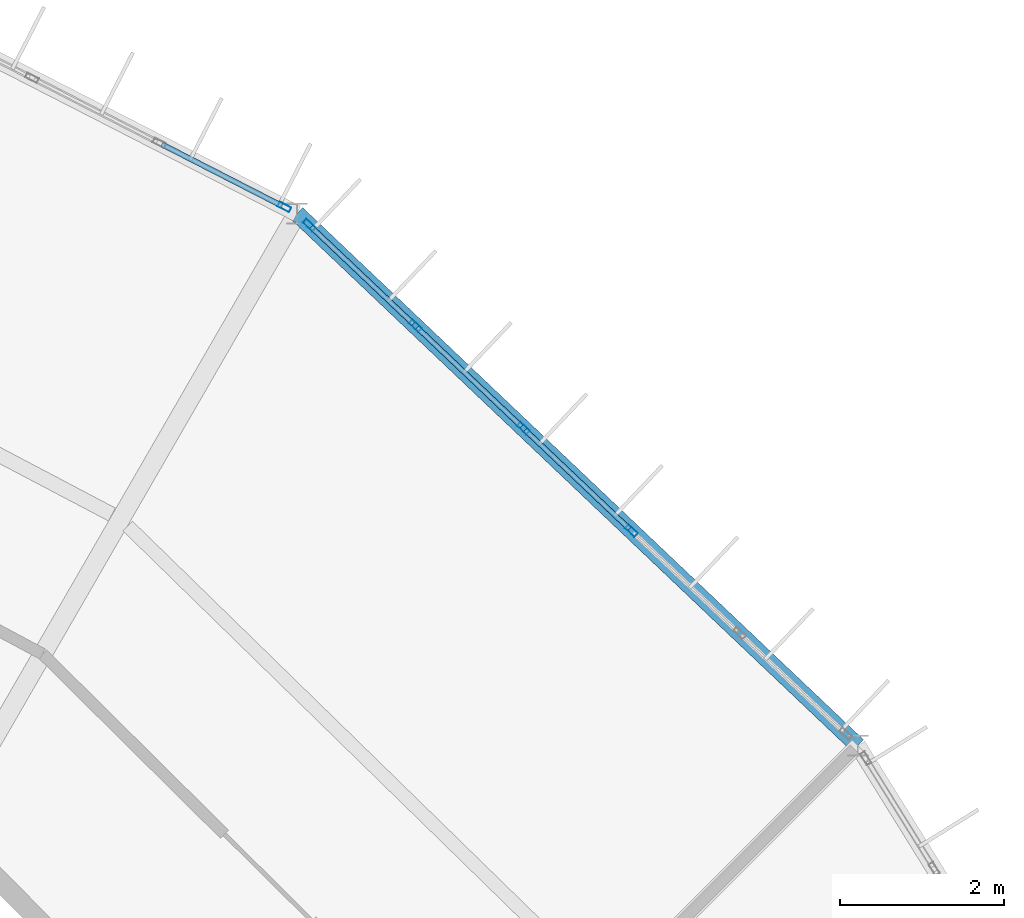
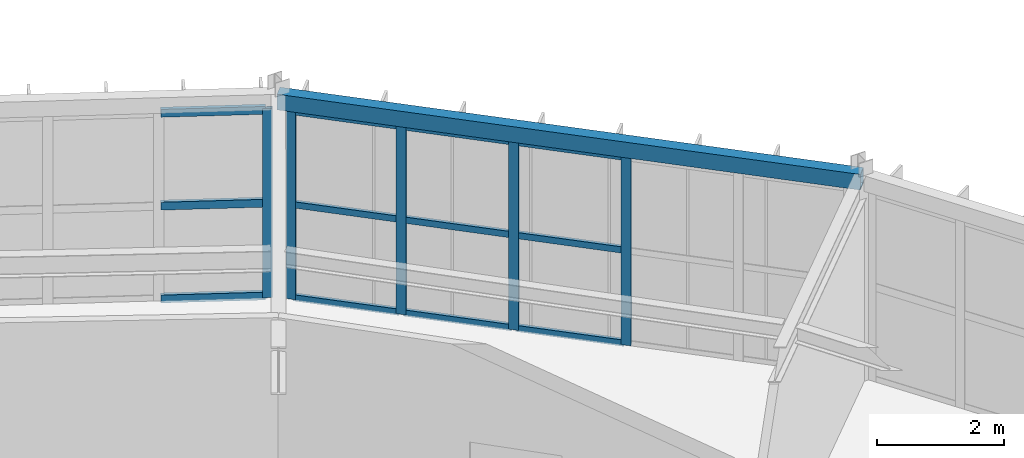
# One storey, part 83 of 134: 17 members, 1 beam, 2 elements without a shape of their own.
"""IFC4 building model written with IfcOpenShell, lengths in metres."""

from ifc_helpers import new_model, si_unit, direction, frame, origin, origin_2d, place, context, subcontext, project, spatial, hollow_rectangle, extrude, material, material_profile, profile_set, type_object, element, aggregate, save


model = new_model("IFC4")

# Units and contexts
model_context = context("Model", 3, precision=1e-05, world=origin(), true_north=direction((0.0, 1.0)))
body_context = subcontext(model_context, "Body", "Model", "MODEL_VIEW")
ifc_project = project(units=[si_unit("LENGTHUNIT", "METRE"), si_unit("AREAUNIT", "SQUARE_METRE"), si_unit("VOLUMEUNIT", "CUBIC_METRE"), si_unit("PLANEANGLEUNIT", "RADIAN"), si_unit("MASSUNIT", "GRAM", prefix="KILO")], contexts=[model_context])

# Site, building, storey
site_placement = place(None, origin())
site = spatial("IfcSite", under=ifc_project, at=site_placement, CompositionType="ELEMENT")
building_placement = place(site_placement, origin())
building = spatial("IfcBuilding", under=site, at=building_placement, Name="Karori Crest Natural Sciences Institute", CompositionType="ELEMENT")
storey_placement = place(building_placement, frame((0.0, 0.0, 21.699951171875)))
storey = spatial("IfcBuildingStorey", under=building, at=storey_placement, Name="L05", CompositionType="ELEMENT", Elevation=21.699951171875)

# Beam
ifc_material_1 = material(Name="Hollow structural steel AS/NZS 1163 Grade C350", Category="steel")
ifc_material_profile_1 = material_profile(ifc_material_1, hollow_rectangle(XDim=0.199951171875, YDim=0.300048828125, WallThickness=0.010009765625, at=origin_2d()), Name="RHS300x200x10")
ifc_profile_set_1 = profile_set([ifc_material_profile_1], Name="Hollow structural steel AS/NZS 1163 Grade C350")
beam_type = type_object("IfcBeamType", Name="BT-15", PredefinedType="SPANDREL", material=ifc_profile_set_1)
beam_placement = place(storey_placement, frame((89.734619140625, 78.75, 3.7900390625), z_axis=(-0.725481282589, 0.688241896874, 0.0), x_axis=(-0.688241896874, -0.725481282589, 0.0)))
element("IfcBeam", 1, at=beam_placement, inside=storey, type_object=beam_type, Name="Beam B-0551", PredefinedType="SPANDREL", context=body_context, shape_type="SweptSolid", body=[
    extrude(hollow_rectangle(XDim=0.199951171875, YDim=0.300048828125, WallThickness=0.010009765625, at=origin_2d()), origin(), (0.0, 0.0, 1.0), 9.4208984375),
])

# Curtain wall, members
ifc_material_2 = material(Name="Anodised architectural aluminium 6063-T6", Category="aluminium")
curtain_wall_type_1 = type_object("IfcCurtainWallType", Name="CWT-04", PredefinedType="NOTDEFINED", material=ifc_material_2)
curtain_wall_1_placement = place(storey_placement, origin())
curtain_wall_1 = element("IfcCurtainWall", 2, at=curtain_wall_1_placement, inside=storey, type_object=curtain_wall_type_1, Name="Curtain wall CW-0177", PredefinedType="NOTDEFINED")
ifc_material_profile_2 = material_profile(ifc_material_2, hollow_rectangle(XDim=0.06494140625, YDim=0.159912109375, WallThickness=0.00390625, at=origin_2d()), Name="CWM160x65x4")
ifc_profile_set_2 = profile_set([ifc_material_profile_2], Name="Anodised architectural aluminium 6063-T6")
member_type_1 = type_object("IfcMemberType", Name="CWM-01", PredefinedType="MULLION", material=ifc_profile_set_2)
member_1_placement = place(storey_placement, frame((83.049072265625, 85.09228515625, 0.0), z_axis=(0.0, 0.0, 1.0), x_axis=(0.688252251648, 0.725471459192, 0.0)))
member_1 = element("IfcMember", 3, at=member_1_placement, type_object=member_type_1, Name="CW-0177 mullion 1", PredefinedType="MULLION", context=body_context, shape_type="SweptSolid", body=[
    extrude(hollow_rectangle(XDim=0.06494140625, YDim=0.159912109375, WallThickness=0.00390625, at=origin_2d()), origin(), (0.0, 0.0, 1.0), 3.625),
])
member_2_placement = place(storey_placement, frame((84.342041015625, 83.86572265625, 0.0), z_axis=(0.0, 0.0, 1.0), x_axis=(0.688252251648, 0.725471459192, 0.0)))
member_2 = element("IfcMember", 4, at=member_2_placement, type_object=member_type_1, Name="CW-0177 mullion 2", PredefinedType="MULLION", context=body_context, shape_type="SweptSolid", body=[
    extrude(hollow_rectangle(XDim=0.06494140625, YDim=0.159912109375, WallThickness=0.00390625, at=origin_2d()), origin(), (0.0, 0.0, 1.0), 3.625),
])
member_3_placement = place(storey_placement, frame((85.658447265625, 82.61669921875, 0.0), z_axis=(0.0, 0.0, 1.0), x_axis=(0.688252251648, 0.725471459192, 0.0)))
member_3 = element("IfcMember", 5, at=member_3_placement, type_object=member_type_1, Name="CW-0177 mullion 3", PredefinedType="MULLION", context=body_context, shape_type="SweptSolid", body=[
    extrude(hollow_rectangle(XDim=0.06494140625, YDim=0.159912109375, WallThickness=0.00390625, at=origin_2d()), origin(), (0.0, 0.0, 1.0), 3.625),
])
member_4_placement = place(storey_placement, frame((86.97509765625, 81.367919921875, 0.0), z_axis=(0.0, 0.0, 1.0), x_axis=(0.688252251648, 0.725471459192, 0.0)))
member_4 = element("IfcMember", 6, at=member_4_placement, type_object=member_type_1, Name="CW-0177 mullion 4", PredefinedType="MULLION", context=body_context, shape_type="SweptSolid", body=[
    extrude(hollow_rectangle(XDim=0.06494140625, YDim=0.159912109375, WallThickness=0.00390625, at=origin_2d()), origin(), (0.0, 0.0, 1.0), 3.625),
])

# Curtain wall, member
curtain_wall_type_2 = type_object("IfcCurtainWallType", Name="CWT-05", PredefinedType="NOTDEFINED", material=ifc_material_2)
curtain_wall_2_placement = place(storey_placement, origin())
curtain_wall_2 = element("IfcCurtainWall", 7, at=curtain_wall_2_placement, inside=storey, type_object=curtain_wall_type_2, Name="Curtain wall CW-0178", PredefinedType="NOTDEFINED")
member_5_placement = place(storey_placement, frame((82.745849609375, 85.312744140625, 0.0), z_axis=(0.0, 0.0, 1.0), x_axis=(0.455828878252, 0.890067432138, 0.0)))
member_5 = element("IfcMember", 8, at=member_5_placement, type_object=member_type_1, Name="CW-0178 mullion 6", PredefinedType="MULLION", context=body_context, shape_type="SweptSolid", body=[
    extrude(hollow_rectangle(XDim=0.06494140625, YDim=0.159912109375, WallThickness=0.00390625, at=origin_2d()), origin(), (0.0, 0.0, 1.0), 3.625),
])

# Member
ifc_material_profile_3 = material_profile(ifc_material_2, hollow_rectangle(XDim=0.06005859375, YDim=0.1201171875, WallThickness=0.00390625, at=origin_2d()), Name="CWT120x60x4")
ifc_profile_set_3 = profile_set([ifc_material_profile_3], Name="Anodised architectural aluminium 6063-T6")
member_type_2 = type_object("IfcMemberType", Name="CWT-TR1", PredefinedType="USERDEFINED", material=ifc_profile_set_3)
member_6_placement = place(storey_placement, frame((83.07275390625, 85.070068359375, 0.030029296875), z_axis=(0.725485539939, -0.68823740914, 0.0), x_axis=(0.68823740914, 0.725485539939, 0.0)))
member_6 = element("IfcMember", 9, at=member_6_placement, type_object=member_type_2, Name="CW-0177 transom 1.1", ObjectType="TRANSOM", PredefinedType="USERDEFINED", context=body_context, shape_type="SweptSolid", body=[
    extrude(hollow_rectangle(XDim=0.06005859375, YDim=0.1201171875, WallThickness=0.00390625, at=origin_2d()), origin(), (0.0, 0.0, 1.0), 1.71728515625),
])

member_7_placement = place(storey_placement, frame((83.07275390625, 85.070068359375, 1.8125), z_axis=(0.725485539939, -0.68823740914, 0.0), x_axis=(0.68823740914, 0.725485539939, 0.0)))
member_7 = element("IfcMember", 10, at=member_7_placement, type_object=member_type_2, Name="CW-0177 transom 1.2", ObjectType="TRANSOM", PredefinedType="USERDEFINED", context=body_context, shape_type="SweptSolid", body=[
    extrude(hollow_rectangle(XDim=0.06005859375, YDim=0.1201171875, WallThickness=0.00390625, at=origin_2d()), origin(), (0.0, 0.0, 1.0), 1.71728515625),
])

member_8_placement = place(storey_placement, frame((83.07275390625, 85.070068359375, 3.594970703125), z_axis=(0.725485539939, -0.68823740914, 0.0), x_axis=(0.68823740914, 0.725485539939, 0.0)))
member_8 = element("IfcMember", 11, at=member_8_placement, type_object=member_type_2, Name="CW-0177 transom 1.3", ObjectType="TRANSOM", PredefinedType="USERDEFINED", context=body_context, shape_type="SweptSolid", body=[
    extrude(hollow_rectangle(XDim=0.06005859375, YDim=0.1201171875, WallThickness=0.00390625, at=origin_2d()), origin(), (0.0, 0.0, 1.0), 1.71728515625),
])

member_9_placement = place(storey_placement, frame((84.36572265625, 83.843505859375, 0.030029296875), z_axis=(0.725420823959, -0.688305621194, 0.0), x_axis=(0.688305621194, 0.725420823959, 0.0)))
member_9 = element("IfcMember", 12, at=member_9_placement, type_object=member_type_2, Name="CW-0177 transom 2.1", ObjectType="TRANSOM", PredefinedType="USERDEFINED", context=body_context, shape_type="SweptSolid", body=[
    extrude(hollow_rectangle(XDim=0.06005859375, YDim=0.1201171875, WallThickness=0.00390625, at=origin_2d()), origin(), (0.0, 0.0, 1.0), 1.749755859375),
])

member_10_placement = place(storey_placement, frame((84.36572265625, 83.843505859375, 1.8125), z_axis=(0.725420823959, -0.688305621194, 0.0), x_axis=(0.688305621194, 0.725420823959, 0.0)))
member_10 = element("IfcMember", 13, at=member_10_placement, type_object=member_type_2, Name="CW-0177 transom 2.2", ObjectType="TRANSOM", PredefinedType="USERDEFINED", context=body_context, shape_type="SweptSolid", body=[
    extrude(hollow_rectangle(XDim=0.06005859375, YDim=0.1201171875, WallThickness=0.00390625, at=origin_2d()), origin(), (0.0, 0.0, 1.0), 1.749755859375),
])

member_11_placement = place(storey_placement, frame((84.36572265625, 83.843505859375, 3.594970703125), z_axis=(0.725420823959, -0.688305621194, 0.0), x_axis=(0.688305621194, 0.725420823959, 0.0)))
member_11 = element("IfcMember", 14, at=member_11_placement, type_object=member_type_2, Name="CW-0177 transom 2.3", ObjectType="TRANSOM", PredefinedType="USERDEFINED", context=body_context, shape_type="SweptSolid", body=[
    extrude(hollow_rectangle(XDim=0.06005859375, YDim=0.1201171875, WallThickness=0.00390625, at=origin_2d()), origin(), (0.0, 0.0, 1.0), 1.749755859375),
])

member_12_placement = place(storey_placement, frame((85.68212890625, 82.594482421875, 0.030029296875), z_axis=(0.725420823959, -0.688305621194, 0.0), x_axis=(0.688305621194, 0.725420823959, 0.0)))
member_12 = element("IfcMember", 15, at=member_12_placement, type_object=member_type_2, Name="CW-0177 transom 3.1", ObjectType="TRANSOM", PredefinedType="USERDEFINED", context=body_context, shape_type="SweptSolid", body=[
    extrude(hollow_rectangle(XDim=0.06005859375, YDim=0.1201171875, WallThickness=0.00390625, at=origin_2d()), origin(), (0.0, 0.0, 1.0), 1.749755859375),
])

member_13_placement = place(storey_placement, frame((85.68212890625, 82.594482421875, 1.8125), z_axis=(0.725420823959, -0.688305621194, 0.0), x_axis=(0.688305621194, 0.725420823959, 0.0)))
member_13 = element("IfcMember", 16, at=member_13_placement, type_object=member_type_2, Name="CW-0177 transom 3.2", ObjectType="TRANSOM", PredefinedType="USERDEFINED", context=body_context, shape_type="SweptSolid", body=[
    extrude(hollow_rectangle(XDim=0.06005859375, YDim=0.1201171875, WallThickness=0.00390625, at=origin_2d()), origin(), (0.0, 0.0, 1.0), 1.749755859375),
])

member_14_placement = place(storey_placement, frame((85.68212890625, 82.594482421875, 3.594970703125), z_axis=(0.725420823959, -0.688305621194, 0.0), x_axis=(0.688305621194, 0.725420823959, 0.0)))
member_14 = element("IfcMember", 17, at=member_14_placement, type_object=member_type_2, Name="CW-0177 transom 3.3", ObjectType="TRANSOM", PredefinedType="USERDEFINED", context=body_context, shape_type="SweptSolid", body=[
    extrude(hollow_rectangle(XDim=0.06005859375, YDim=0.1201171875, WallThickness=0.00390625, at=origin_2d()), origin(), (0.0, 0.0, 1.0), 1.749755859375),
])

aggregate(curtain_wall_1, [member_1, member_2, member_3, member_4, member_6, member_7, member_8, member_9, member_10, member_11, member_12, member_13, member_14])

ifc_material_profile_4 = material_profile(ifc_material_2, hollow_rectangle(XDim=0.06494140625, YDim=0.14990234375, WallThickness=0.00390625, at=origin_2d()), Name="CWT150x65x4")
ifc_profile_set_4 = profile_set([ifc_material_profile_4], Name="Anodised architectural aluminium 6063-T6")
member_type_3 = type_object("IfcMemberType", Name="CWT-TR2", PredefinedType="USERDEFINED", material=ifc_profile_set_4)
member_15_placement = place(storey_placement, frame((81.251953125, 86.077880859375, 0.032470703125), z_axis=(0.890084461025, -0.455795625518, 0.0), x_axis=(0.455795625518, 0.890084461025, 0.0)))
member_15 = element("IfcMember", 18, at=member_15_placement, type_object=member_type_3, Name="CW-0178 transom 5.1", ObjectType="TRANSOM", PredefinedType="USERDEFINED", context=body_context, shape_type="SweptSolid", body=[
    extrude(hollow_rectangle(XDim=0.06494140625, YDim=0.14990234375, WallThickness=0.00390625, at=origin_2d()), origin(), (0.0, 0.0, 1.0), 1.64599609375),
])

member_16_placement = place(storey_placement, frame((81.251953125, 86.077880859375, 1.8125), z_axis=(0.890084461025, -0.455795625518, 0.0), x_axis=(0.455795625518, 0.890084461025, 0.0)))
member_16 = element("IfcMember", 19, at=member_16_placement, type_object=member_type_3, Name="CW-0178 transom 5.2", ObjectType="TRANSOM", PredefinedType="USERDEFINED", context=body_context, shape_type="SweptSolid", body=[
    extrude(hollow_rectangle(XDim=0.06494140625, YDim=0.14990234375, WallThickness=0.00390625, at=origin_2d()), origin(), (0.0, 0.0, 1.0), 1.64599609375),
])

member_17_placement = place(storey_placement, frame((81.251953125, 86.077880859375, 3.592529296875), z_axis=(0.890084461025, -0.455795625518, 0.0), x_axis=(0.455795625518, 0.890084461025, 0.0)))
member_17 = element("IfcMember", 20, at=member_17_placement, type_object=member_type_3, Name="CW-0178 transom 5.3", ObjectType="TRANSOM", PredefinedType="USERDEFINED", context=body_context, shape_type="SweptSolid", body=[
    extrude(hollow_rectangle(XDim=0.06494140625, YDim=0.14990234375, WallThickness=0.00390625, at=origin_2d()), origin(), (0.0, 0.0, 1.0), 1.64599609375),
])

aggregate(curtain_wall_2, [member_5, member_15, member_16, member_17])

save(model, "model.ifc")
